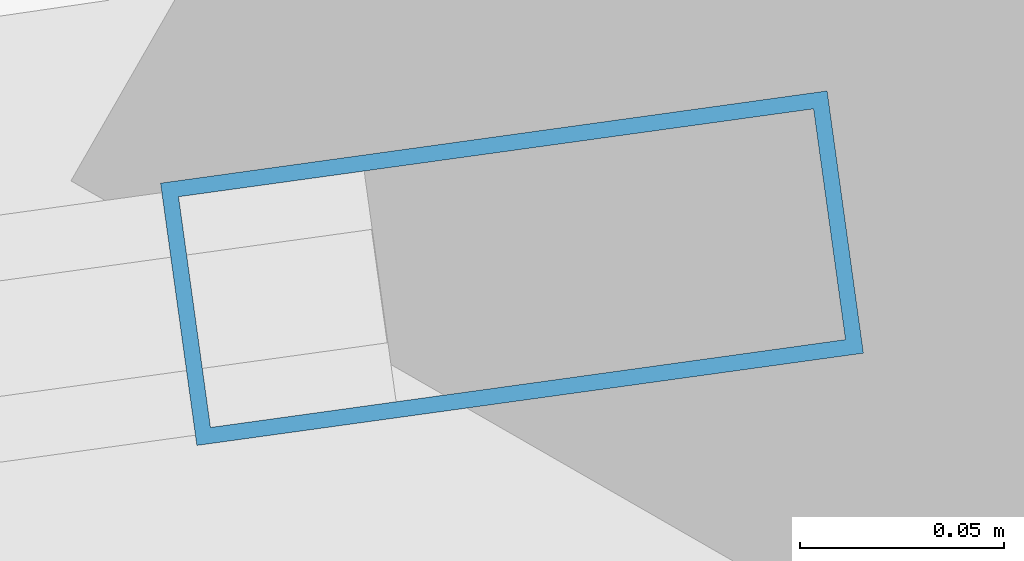
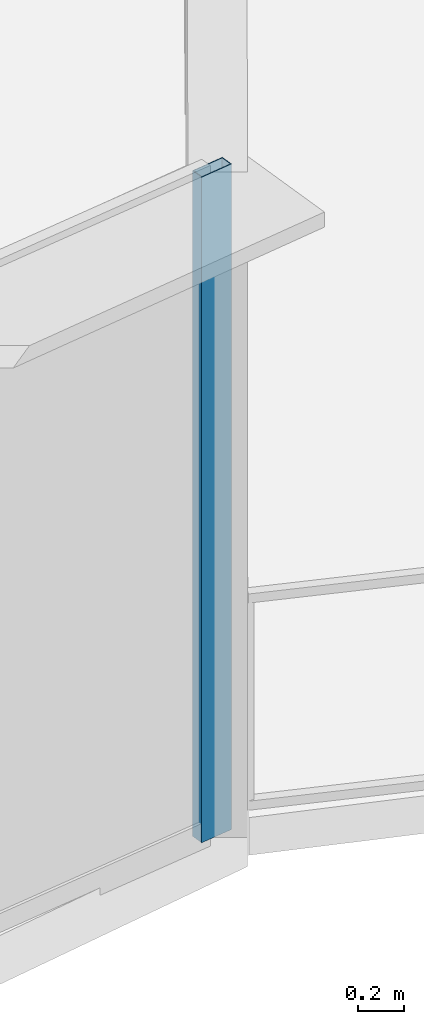
# One storey, part 20 of 36: 1 member, 1 element without a shape of its own.
"""IFC4 building model written with IfcOpenShell, lengths in metres."""

from ifc_helpers import new_model, si_unit, direction, frame, origin, origin_2d, place, context, subcontext, project, spatial, hollow_rectangle, extrude, source, transform, mapped, material, layer, layer_set, material_profile, profile_set, type_object, element, aggregate, save


model = new_model("IFC4")

# Units and contexts
model_context = context("Model", 3, precision=1e-05, world=origin(), true_north=direction((0.0, 1.0)))
body_context = subcontext(model_context, "Body", "Model", "MODEL_VIEW")
ifc_project = project(units=[si_unit("LENGTHUNIT", "METRE"), si_unit("AREAUNIT", "SQUARE_METRE"), si_unit("VOLUMEUNIT", "CUBIC_METRE"), si_unit("PLANEANGLEUNIT", "RADIAN"), si_unit("MASSUNIT", "GRAM", prefix="KILO"), si_unit("THERMODYNAMICTEMPERATUREUNIT", "KELVIN"), si_unit("POWERUNIT", "WATT")], contexts=[model_context])

# Site, building, storey
site_placement = place(None, origin())
site = spatial("IfcSite", under=ifc_project, at=site_placement, CompositionType="ELEMENT")
building_placement = place(site_placement, origin())
building = spatial("IfcBuilding", under=site, at=building_placement, Name="Yunzhuo Pagoda Commons", CompositionType="ELEMENT")
storey_placement = place(building_placement, frame((0.0, 0.0, 103.97998046875)))
storey = spatial("IfcBuildingStorey", under=building, at=storey_placement, Name="L26", CompositionType="ELEMENT", Elevation=103.97998046875)

# Curtain wall, member
ifc_material = material(Name="Anodized aluminium 6063-T6", Category="aluminium")
ifc_layer = layer(ifc_material, 0.1650390625)
ifc_layer_set = layer_set([ifc_layer], Name="Anodized aluminium 6063-T6")
curtain_wall_type = type_object("IfcCurtainWallType", Name="CW-LOW Low-Zone Ribbon Curtain Wall", PredefinedType="NOTDEFINED", material=ifc_layer_set)
curtain_wall_placement = place(storey_placement, origin())
curtain_wall = element("IfcCurtainWall", 1, at=curtain_wall_placement, inside=storey, type_object=curtain_wall_type, Name="L26 curtain wall CW-L26-F1B5", PredefinedType="NOTDEFINED")
ifc_material_profile = material_profile(ifc_material, hollow_rectangle(XDim=0.06494140625, YDim=0.1650390625, WallThickness=0.00390625, at=origin_2d()), Name="Anodized aluminium 6063-T6")
ifc_profile_set = profile_set([ifc_material_profile], Name="Anodized aluminium 6063-T6")
member_type = type_object("IfcMemberType", Name="CW-LOW-M Mullion RHS 165x65x4", PredefinedType="MULLION", material=ifc_profile_set)
shared_shape = source(origin(), body_context, "Body", "SweptSolid", [
    extrude(hollow_rectangle(XDim=0.06494140625, YDim=0.1650390625, WallThickness=0.00390625, at=origin_2d()), origin(), (0.0, 0.0, 1.0), 3.5400390625),
])
member_placement = place(storey_placement, frame((84.8310546875, 15.470947265625, 0.000244140625), z_axis=(0.0, 0.0, 1.0), x_axis=(-0.137082225692, 0.990559671801, 0.0)))
member = element("IfcMember", 2, at=member_placement, type_object=member_type, Name="CW mullion 2", PredefinedType="MULLION", context=body_context, shape_type="MappedRepresentation", body=[
    mapped(shared_shape, transform((0.0, 0.0, 0.0), scale=1.0)),
])
aggregate(curtain_wall, [member])

save(model, "model.ifc")
